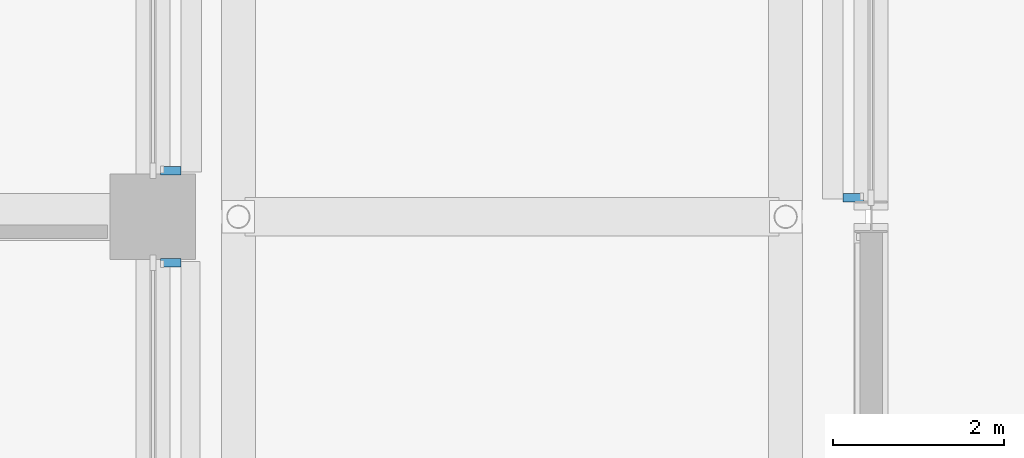
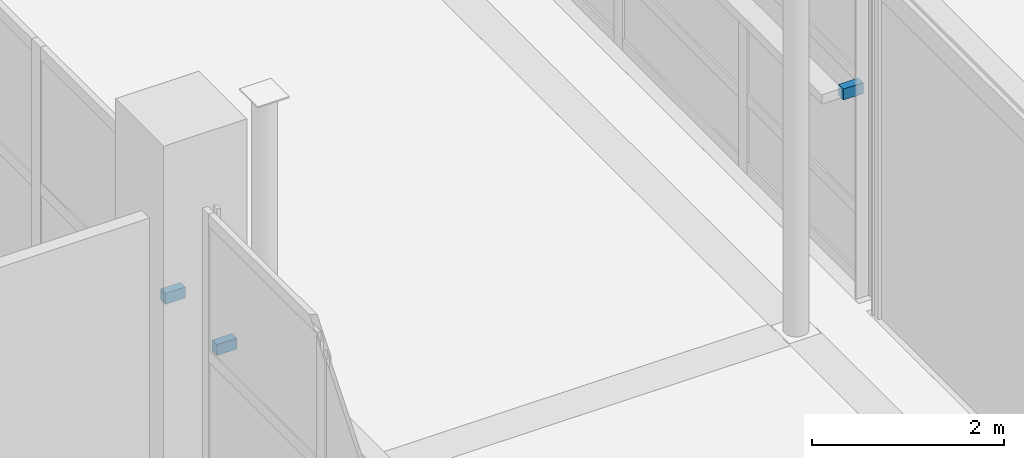
# One storey, part 86 of 140: 3 discrete accessories.
"""IFC4 building model written with IfcOpenShell, lengths in metres."""

from ifc_helpers import new_model, si_unit, direction, frame, origin, origin_2d, place, context, subcontext, project, spatial, rectangle, extrude, material, type_object, element, save


model = new_model("IFC4")

# Units and contexts
model_context = context("Model", 3, precision=1e-05, world=origin(), true_north=direction((0.0, 1.0)))
body_context = subcontext(model_context, "Body", "Model", "MODEL_VIEW")
ifc_project = project(units=[si_unit("LENGTHUNIT", "METRE"), si_unit("AREAUNIT", "SQUARE_METRE"), si_unit("VOLUMEUNIT", "CUBIC_METRE"), si_unit("PLANEANGLEUNIT", "RADIAN"), si_unit("MASSUNIT", "GRAM", prefix="KILO")], contexts=[model_context])

# Site, building, storey
site_placement = place(None, origin())
site = spatial("IfcSite", under=ifc_project, at=site_placement, CompositionType="ELEMENT")
building_placement = place(site_placement, origin())
building = spatial("IfcBuilding", under=site, at=building_placement, Name="Telukmera Botanical Conservatory", CompositionType="ELEMENT")
storey_placement = place(building_placement, origin())
storey = spatial("IfcBuildingStorey", under=building, at=storey_placement, Name="L00", CompositionType="ELEMENT", Elevation=0.0)

# Discrete accessories
ifc_material = material(Name="Steel S355", Category="steel")
discrete_accessory_type = type_object("IfcDiscreteAccessoryType", Name="Structural Steel Facade Outrigger Fin Bracket", PredefinedType="BRACKET", material=ifc_material)
for number, where, z_axis, x_axis, name in (
    (1, (117.389892578125, 34.62109375, 2.580078125), (0.0, 0.0, 1.0), (0.0, 1.0, 0.0), "Facade Outrigger Bracket V1:L00:W3 A"),
    (2, (109.409912109375, 33.863037109375, 2.580078125), (0.0, 0.0, 1.0), (0.0, 1.0, 0.0), "Facade Outrigger Bracket V4:L00:E3 B"),
    (3, (109.409912109375, 34.93701171875, 2.580078125), (0.0, 0.0, 1.0), (0.0, 1.0, 0.0), "Facade Outrigger Bracket V4:L00:E4 A"),
):
    element("IfcDiscreteAccessory", number, at=place(storey_placement, frame(where, z_axis=z_axis, x_axis=x_axis)), inside=storey, type_object=discrete_accessory_type, Name=name, PredefinedType="BRACKET", context=body_context, shape_type="SweptSolid", body=[
        extrude(rectangle(XDim=0.10009765625, YDim=0.239990234375, at=origin_2d()), origin(), (0.0, 0.0, 1.0), 0.139892578125),
    ])

save(model, "model.ifc")
